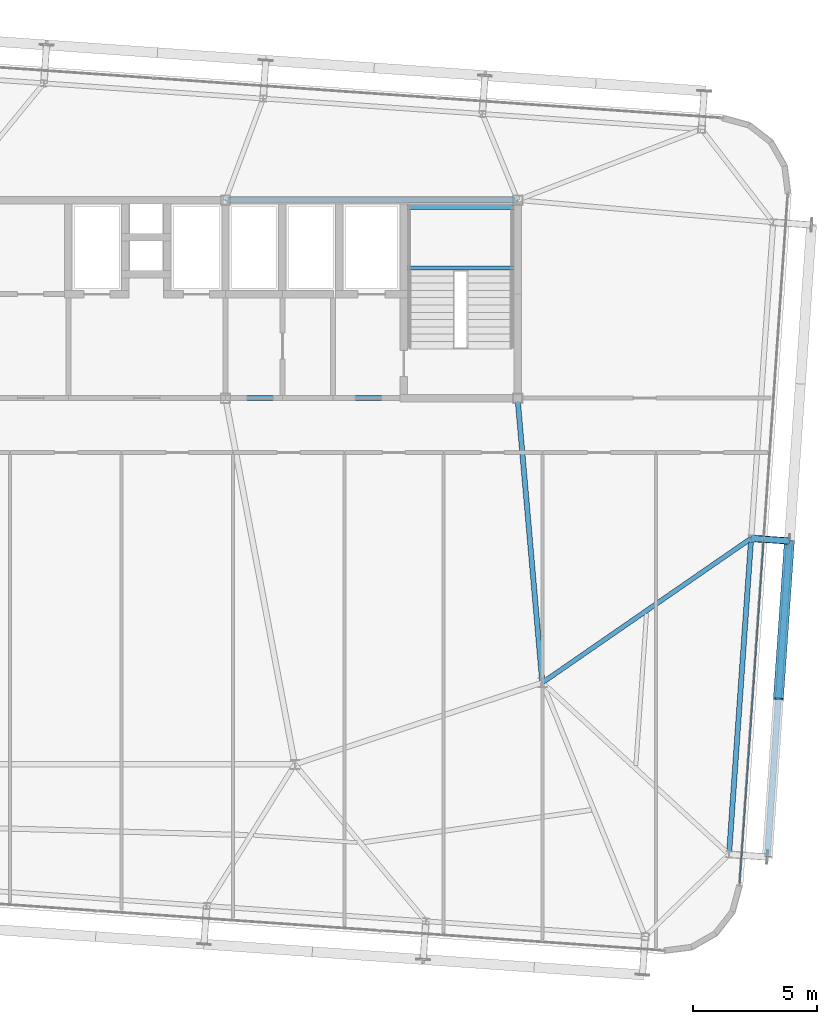
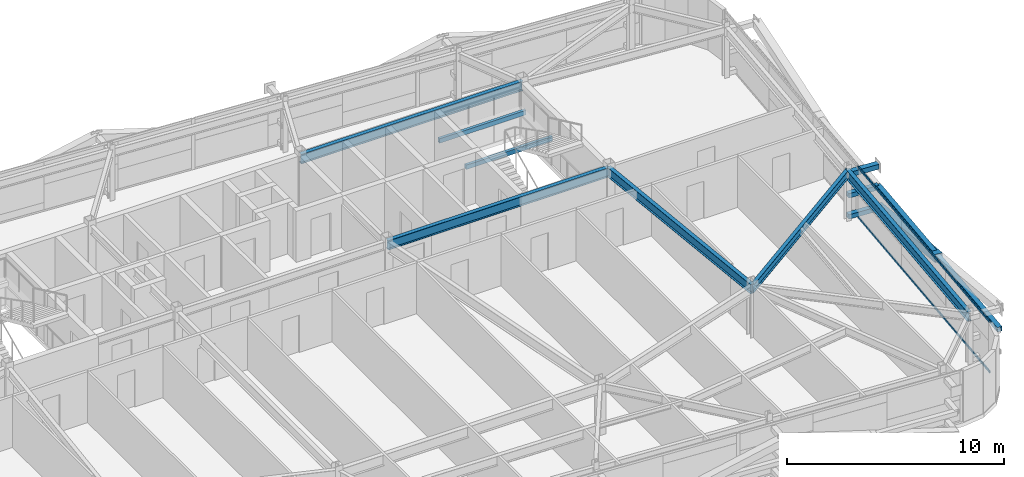
# One storey, part 16 of 39: 7 beams, 7 members, 1 element without a shape of its own.
"""IFC4 building model written with IfcOpenShell, lengths in metres."""

from ifc_helpers import new_model, si_unit, direction, frame, origin, origin_2d, place, context, subcontext, project, spatial, hollow_rectangle, i_section, extrude, source, transform, mapped, material, layer, layer_set, material_profile, profile_set, type_object, element, aggregate, save


model = new_model("IFC4")

# Units and contexts
model_context = context("Model", 3, precision=1e-05, world=origin(), true_north=direction((0.0, 1.0)))
body_context = subcontext(model_context, "Body", "Model", "MODEL_VIEW")
ifc_project = project(units=[si_unit("LENGTHUNIT", "METRE"), si_unit("AREAUNIT", "SQUARE_METRE"), si_unit("VOLUMEUNIT", "CUBIC_METRE"), si_unit("PLANEANGLEUNIT", "RADIAN"), si_unit("MASSUNIT", "GRAM", prefix="KILO")], contexts=[model_context])

# Site, building, storey
site_placement = place(None, origin())
site = spatial("IfcSite", under=ifc_project, at=site_placement, CompositionType="ELEMENT")
building_placement = place(site_placement, origin())
building = spatial("IfcBuilding", under=site, at=building_placement, Name="Taldren Reach Tower", CompositionType="ELEMENT")
storey_placement = place(building_placement, frame((0.0, 0.0, 161.35009765625)))
storey = spatial("IfcBuildingStorey", under=building, at=storey_placement, Name="L49", CompositionType="ELEMENT", Elevation=161.35009765625)

# Beams
ifc_material_1 = material(Name="Steel Gr 350 (350PLUS)", Category="steel")
ifc_material_profile_1 = material_profile(ifc_material_1, i_section(OverallWidth=0.208984375, OverallDepth=0.532958984375, WebThickness=0.01025390625, FlangeThickness=0.015625, at=origin_2d()), Name="530UB92.4")
ifc_profile_set_1 = profile_set([ifc_material_profile_1], Name="Steel Gr 350 (350PLUS)")
beam_type_1 = type_object("IfcBeamType", Name="BM-UB530A", PredefinedType="BEAM", material=ifc_profile_set_1)
shared_shape_1 = source(origin(), body_context, "Body", "SweptSolid", [
    extrude(i_section(OverallWidth=0.208984375, OverallDepth=0.532958984375, WebThickness=0.01025390625, FlangeThickness=0.015625, at=origin_2d()), origin(), (0.0, 0.0, 1.0), 11.800048828125),
])
for number, where, z_axis, x_axis, name in (
    (1, (39.199951171875, 24.0, 2.603515625), (1.0, 0.0, 0.0), (0.0, 1.0, 0.0), "Core-spine girder L49-SP03"),
    (2, (39.199951171875, 32.0, 2.603515625), (1.0, 0.0, 0.0), (0.0, 1.0, 0.0), "Core-spine girder L49-SP06"),
):
    element("IfcBeam", number, at=place(storey_placement, frame(where, z_axis=z_axis, x_axis=x_axis)), inside=storey, type_object=beam_type_1, Name=name, PredefinedType="BEAM", context=body_context, shape_type="MappedRepresentation", body=[
        mapped(shared_shape_1, transform((0.0, 0.0, 0.0), scale=1.0)),
    ])
shared_shape_2 = source(origin(), body_context, "Body", "SweptSolid", [
    extrude(i_section(OverallWidth=0.208984375, OverallDepth=0.532958984375, WebThickness=0.01025390625, FlangeThickness=0.015625, at=origin_2d()), origin(), (0.0, 0.0, 1.0), 11.54345703125),
])
beam_1_placement = place(storey_placement, frame((52.0, 12.5, 2.603515625), z_axis=(-0.086629616365, 0.996240588196, 0.0), x_axis=(-0.996240588196, -0.086629616365, 0.0)))
element("IfcBeam", 3, at=beam_1_placement, inside=storey, type_object=beam_type_1, Name="Core-spine girder L49-SP13", PredefinedType="BEAM", context=body_context, shape_type="MappedRepresentation", body=[
    mapped(shared_shape_2, transform((0.0, 0.0, 0.0), scale=1.0)),
])

# Members
ifc_material_2 = material(Name="Steel Gr 450 (C450L0)", Category="steel")
ifc_material_profile_2 = material_profile(ifc_material_2, hollow_rectangle(XDim=0.27490234375, YDim=0.27490234375, WallThickness=0.00927734375, at=origin_2d()), Name="275x275x9.3SHS")
ifc_profile_set_2 = profile_set([ifc_material_profile_2], Name="Steel Gr 450 (C450L0)")
member_type_1 = type_object("IfcMemberType", Name="MB-TIE273", PredefinedType="STRUT", material=ifc_profile_set_2)
shared_shape_3 = source(origin(), body_context, "Body", "SweptSolid", [
    extrude(hollow_rectangle(XDim=0.27490234375, YDim=0.27490234375, WallThickness=0.00927734375, at=origin_2d()), origin(), (0.0, 0.0, 1.0), 1.5498046875),
])
member_1_placement = place(storey_placement, frame((60.438232421875, 18.331787109375, 2.58984375), z_axis=(0.997562367434, -0.069780535098, 0.0), x_axis=(0.069780535098, 0.997562367434, 0.0)))
element("IfcMember", 4, at=member_1_placement, inside=storey, type_object=member_type_1, Name="Exoskeleton diaphragm tie strut B3-E2 L49", PredefinedType="STRUT", context=body_context, shape_type="MappedRepresentation", body=[
    mapped(shared_shape_3, transform((0.0, 0.0, 0.0), scale=1.0)),
])
ifc_material_3 = material(Name="Steel Gr 350 (C350L0)", Category="steel")
ifc_material_profile_3 = material_profile(ifc_material_3, hollow_rectangle(XDim=0.25, YDim=0.25, WallThickness=0.010009765625, at=origin_2d()), Name="250x250x10.0SHS")
ifc_profile_set_3 = profile_set([ifc_material_profile_3], Name="Steel Gr 350 (C350L0)")
member_type_2 = type_object("IfcMemberType", Name="MB-POST250", PredefinedType="POST", material=ifc_profile_set_3)
shared_shape_4 = source(origin(), body_context, "Body", "SweptSolid", [
    extrude(hollow_rectangle(XDim=0.25, YDim=0.25, WallThickness=0.010009765625, at=origin_2d()), origin(), (0.0, 0.0, 1.0), 1.5498046875),
])
for number, where, z_axis, x_axis, name in (
    (5, (60.438232421875, 18.331787109375, 0.219970703125), (0.997562367434, -0.069780535098, 0.0), (0.069780535098, 0.997562367434, 0.0), "Exoskeleton base diaphragm tie strut B3-E2 L49"),
    (6, (60.438232421875, 18.331787109375, 1.40478515625), (0.997562367434, -0.069780535098, 0.0), (0.069780535098, 0.997562367434, 0.0), "Exoskeleton mid-tier diaphragm tie B3-E2 L49"),
):
    element("IfcMember", number, at=place(storey_placement, frame(where, z_axis=z_axis, x_axis=x_axis)), inside=storey, type_object=member_type_2, Name=name, PredefinedType="POST", context=body_context, shape_type="MappedRepresentation", body=[
        mapped(shared_shape_4, transform((0.0, 0.0, 0.0), scale=1.0)),
    ])

# Beams
ifc_material_profile_4 = material_profile(ifc_material_1, i_section(OverallWidth=0.208984375, OverallDepth=0.528076171875, WebThickness=0.009521484375, FlangeThickness=0.01318359375, at=origin_2d()), Name="530UB82.0")
ifc_profile_set_4 = profile_set([ifc_material_profile_4], Name="Steel Gr 350 (350PLUS)")
beam_type_2 = type_object("IfcBeamType", Name="SP-UB530B", PredefinedType="SPANDREL", material=ifc_profile_set_4)
shared_shape_5 = source(origin(), body_context, "Body", "SweptSolid", [
    extrude(i_section(OverallWidth=0.208984375, OverallDepth=0.528076171875, WebThickness=0.009521484375, FlangeThickness=0.01318359375, at=origin_2d()), origin(), (0.0, 0.0, 1.0), 12.80029296875),
])
beam_2_placement = place(storey_placement, frame((59.54541015625, 5.562744140625, 2.60595703125), z_axis=(0.069750549628, 0.997564464497, 0.0), x_axis=(-0.997564464497, 0.069750549628, 0.0)))
element("IfcBeam", 7, at=beam_2_placement, inside=storey, type_object=beam_type_2, Name="Perimeter spandrel B3 E1-E2 L49", PredefinedType="SPANDREL", context=body_context, shape_type="MappedRepresentation", body=[
    mapped(shared_shape_5, transform((0.0, 0.0, 0.0), scale=1.0)),
])
ifc_material_profile_5 = material_profile(ifc_material_1, i_section(OverallWidth=0.19091796875, OverallDepth=0.4599609375, WebThickness=0.010009765625, FlangeThickness=0.01611328125, at=origin_2d()), Name="460UB82.1")
ifc_profile_set_5 = profile_set([ifc_material_profile_5], Name="Steel Gr 350 (350PLUS)")
beam_type_3 = type_object("IfcBeamType", Name="BM-UB460A", PredefinedType="BEAM", material=ifc_profile_set_5)
shared_shape_6 = source(origin(), body_context, "Body", "SweptSolid", [
    extrude(i_section(OverallWidth=0.19091796875, OverallDepth=0.4599609375, WebThickness=0.010009765625, FlangeThickness=0.01611328125, at=origin_2d()), origin(), (0.0, 0.0, 1.0), 10.25732421875),
])
beam_3_placement = place(storey_placement, frame((52.0, 12.5, 2.639892578125), z_axis=(0.822651197727, 0.568546398175, 0.0), x_axis=(-0.568546398175, 0.822651197727, 0.0)))
element("IfcBeam", 8, at=beam_3_placement, inside=storey, type_object=beam_type_3, Name="Primary floor girder B3-E2 L49", PredefinedType="BEAM", context=body_context, shape_type="MappedRepresentation", body=[
    mapped(shared_shape_6, transform((0.0, 0.0, 0.0), scale=1.0)),
])

# Members
shared_shape_7 = source(origin(), body_context, "Body", "SweptSolid", [
    extrude(hollow_rectangle(XDim=0.25, YDim=0.25, WallThickness=0.010009765625, at=origin_2d()), origin(), (0.0, 0.0, 1.0), 12.800048828125),
])
member_2_placement = place(storey_placement, frame((61.091552734375, 5.454833984375, 1.40478515625), z_axis=(0.069751876777, 0.9975643717, 0.0), x_axis=(-0.9975643717, 0.069751876777, 0.0)))
element("IfcMember", 9, at=member_2_placement, inside=storey, type_object=member_type_2, Name="Exoskeleton mid-height ring chord B3-E1 L49", PredefinedType="POST", context=body_context, shape_type="MappedRepresentation", body=[
    mapped(shared_shape_7, transform((0.0, 0.0, 0.0), scale=1.0)),
])
ifc_material_profile_6 = material_profile(ifc_material_2, hollow_rectangle(XDim=0.409912109375, YDim=0.409912109375, WallThickness=0.01611328125, at=origin_2d()), Name="410x410x16.0SHS")
ifc_profile_set_6 = profile_set([ifc_material_profile_6], Name="Steel Gr 450 (C450L0)")
member_type_3 = type_object("IfcMemberType", Name="MB-EXO406", PredefinedType="BRACE", material=ifc_profile_set_6)
shared_shape_8 = source(origin(), body_context, "Body", "SweptSolid", [
    extrude(hollow_rectangle(XDim=0.409912109375, YDim=0.409912109375, WallThickness=0.01611328125, at=origin_2d()), origin(), (0.0, 0.0, 1.0), 6.5087890625),
])
member_3_placement = place(storey_placement, frame((61.984375, 18.2236328125, 0.219970703125), z_axis=(-0.068566543964, -0.980899174617, 0.182031421147), x_axis=(0.997565791441, -0.069731569223, 0.0)))
element("IfcMember", 10, at=member_3_placement, inside=storey, type_object=member_type_3, Name="Exoskeleton Diagrid Brace B3-E1 L49", PredefinedType="BRACE", context=body_context, shape_type="MappedRepresentation", body=[
    mapped(shared_shape_8, transform((0.0, 0.0, 0.0), scale=1.0)),
])

# Curtain wall, members
ifc_material_4 = material(Name="Aluminium and Low-E Glass Unitised System", Category="aluminium")
ifc_layer = layer(ifc_material_4, 0.159912109375)
ifc_layer_set = layer_set([ifc_layer], Name="Aluminium and Low-E Glass Unitised System")
curtain_wall_type = type_object("IfcCurtainWallType", Name="CW-SYS-4", PredefinedType="NOTDEFINED", material=ifc_layer_set)
curtain_wall_placement = place(storey_placement, origin())
curtain_wall = element("IfcCurtainWall", 11, at=curtain_wall_placement, inside=storey, type_object=curtain_wall_type, Name="Unitised curtain wall CW-L49-E", PredefinedType="NOTDEFINED")
ifc_material_5 = material(Name="Anodised Aluminium 6063-T6", Category="aluminium")
ifc_material_profile_7 = material_profile(ifc_material_5, hollow_rectangle(XDim=0.054931640625, YDim=0.1201171875, WallThickness=0.0029296875, at=origin_2d()), Name="ALU-120x55x3RHS")
ifc_profile_set_7 = profile_set([ifc_material_profile_7], Name="Anodised Aluminium 6063-T6")
member_type_4 = type_object("IfcMemberType", Name="CW-TRN-135", PredefinedType="USERDEFINED", material=ifc_profile_set_7)
shared_shape_9 = source(origin(), body_context, "Body", "SweptSolid", [
    extrude(hollow_rectangle(XDim=0.054931640625, YDim=0.1201171875, WallThickness=0.0029296875, at=origin_2d()), origin(), (0.0, 0.0, 1.0), 13.89501953125),
])
member_4_placement = place(storey_placement, frame((59.975341796875, 4.400146484375, 0.02734375), z_axis=(0.069754817075, 0.997564166104, 0.0), x_axis=(-0.997564166104, 0.069754817075, 0.0)))
member_4 = element("IfcMember", 12, at=member_4_placement, type_object=member_type_4, Name="CW-4 transom 1.1", ObjectType="TRANSOM", PredefinedType="USERDEFINED", context=body_context, shape_type="MappedRepresentation", body=[
    mapped(shared_shape_9, transform((0.0, 0.0, 0.0), scale=1.0)),
])
member_5_placement = place(storey_placement, frame((59.975341796875, 4.400146484375, 2.84228515625), z_axis=(0.069754817075, 0.997564166104, 0.0), x_axis=(-0.997564166104, 0.069754817075, 0.0)))
member_5 = element("IfcMember", 13, at=member_5_placement, type_object=member_type_4, Name="CW-4 transom 1.2", ObjectType="TRANSOM", PredefinedType="USERDEFINED", context=body_context, shape_type="MappedRepresentation", body=[
    mapped(shared_shape_9, transform((0.0, 0.0, 0.0), scale=1.0)),
])
aggregate(curtain_wall, [member_4, member_5])

# Beams
ifc_material_profile_8 = material_profile(ifc_material_3, hollow_rectangle(XDim=0.14990234375, YDim=0.25, WallThickness=0.009033203125, at=origin_2d()), Name="250x150x9.0RHS")
ifc_profile_set_8 = profile_set([ifc_material_profile_8], Name="Steel Gr 350 (C350L0)")
beam_type_4 = type_object("IfcBeamType", Name="LN-RHS250", PredefinedType="LINTEL", material=ifc_profile_set_8)
shared_shape_10 = source(origin(), body_context, "Body", "SweptSolid", [
    extrude(hollow_rectangle(XDim=0.14990234375, YDim=0.25, WallThickness=0.009033203125, at=origin_2d()), origin(), (0.0, 0.0, 1.0), 4.60009765625),
])
for number, where, z_axis, x_axis, name in (
    (14, (46.39990234375, 29.2548828125, 1.27001953125), (1.0, 0.0, 0.0), (0.0, 1.0, 0.0), "Stair half-landing support beam ST2-L49-1"),
    (15, (46.39990234375, 31.699951171875, 1.27001953125), (1.0, 0.0, 0.0), (0.0, 1.0, 0.0), "Stair half-landing support beam ST2-L49-2"),
):
    element("IfcBeam", number, at=place(storey_placement, frame(where, z_axis=z_axis, x_axis=x_axis)), inside=storey, type_object=beam_type_4, Name=name, PredefinedType="LINTEL", context=body_context, shape_type="MappedRepresentation", body=[
        mapped(shared_shape_10, transform((0.0, 0.0, 0.0), scale=1.0)),
    ])

save(model, "model.ifc")
